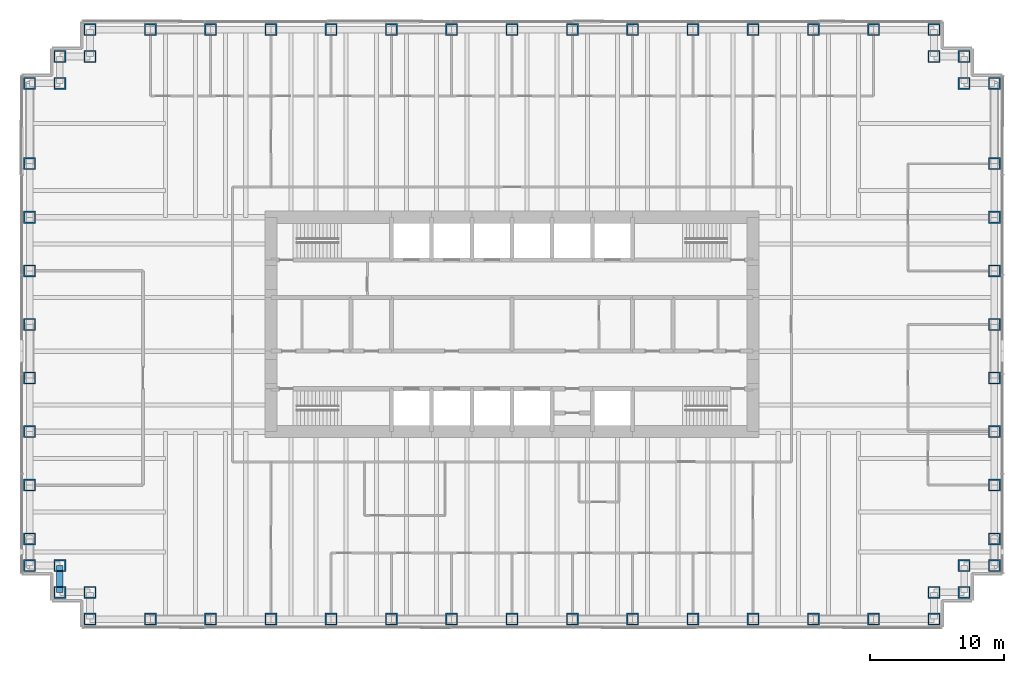
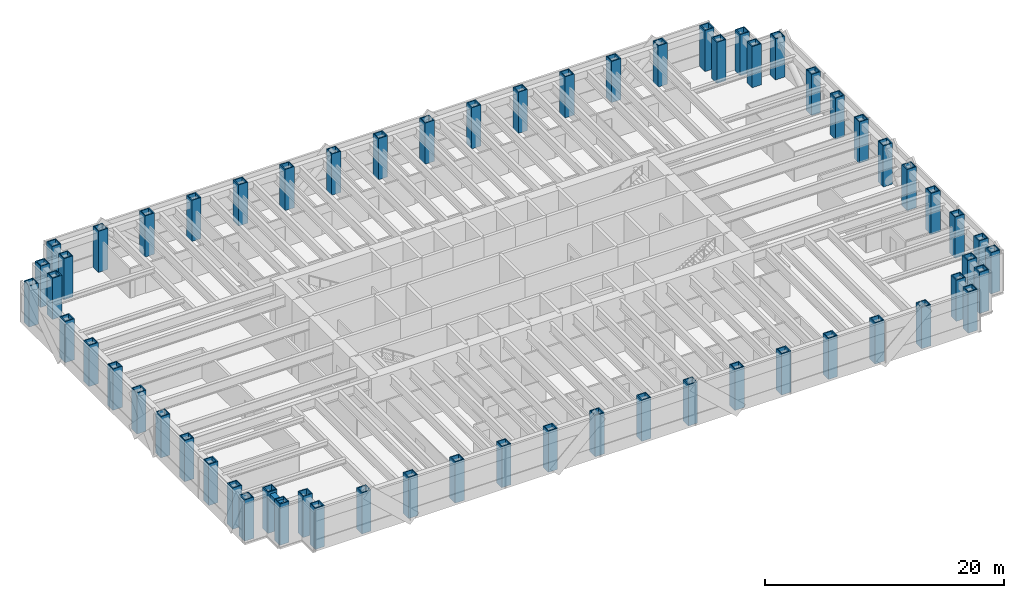
# One storey, part 1 of 16: 62 columns, 1 beam.
"""IFC4 building model written with IfcOpenShell, lengths in metres."""

import ifcopenshell
import ifcopenshell.guid

model = None  # the IFC model being written
_history = None  # IfcOwnerHistory: only IFC2X3 demands one
_inside = {}  # id of a spatial element -> (the spatial element, [elements in it])
_under = {}  # id of a project, library or spatial element -> (it, [spatial elements below it])
_declared = {}  # id of a project -> (the project, [libraries it declares])
_typed = {}  # id of a type object -> (the type object, [elements of that type])
_made_of = {}  # id of a material, layer set ... -> (it, [elements and type objects made of it])


def new_model(schema):
    """Start an empty IFC model of exactly this schema.

    Asked for "IFC4X3", IfcOpenShell would pick the latest addendum, in which some entities
    have other attributes; the version numbers below select the first issue.
    IFC2X3 requires an IfcOwnerHistory on every rooted entity: one is made here for all.
    """
    global model, _history
    if schema == "IFC4X3":
        model = ifcopenshell.file(schema_version=(4, 3, 0, 0))
    else:
        model = ifcopenshell.file(schema=schema)
    _inside.clear()
    _under.clear()
    _declared.clear()
    _typed.clear()
    _made_of.clear()
    _history = None
    if model.schema == "IFC2X3":
        org = make("IfcOrganization", Name="unknown")
        user = make(
            "IfcPersonAndOrganization",
            ThePerson=make("IfcPerson", FamilyName="unknown"),
            TheOrganization=org,
        )
        app = make(
            "IfcApplication",
            ApplicationDeveloper=org,
            Version="unknown",
            ApplicationFullName="unknown",
            ApplicationIdentifier="unknown",
        )
        _history = make(
            "IfcOwnerHistory",
            OwningUser=user,
            OwningApplication=app,
            ChangeAction="ADDED",
            CreationDate=0,
        )
    return model


def make(cls, **values):
    """One entity of the class cls with the attributes given. An attribute that is None is left unset."""
    return model.create_entity(
        cls, **{name: value for name, value in values.items() if value is not None}
    )


def rooted(cls, **values):
    """An entity with a GlobalId (a new one), such as an element, a storey or a relation."""
    return make(cls, GlobalId=ifcopenshell.guid.new(), OwnerHistory=_history, **values)


def si_unit(unit_type, name, prefix=None):
    """IfcSIUnit, for example si_unit("LENGTHUNIT", "METRE", prefix="MILLI")."""
    return make("IfcSIUnit", UnitType=unit_type, Prefix=prefix, Name=name)


def assignment(units):
    """IfcUnitAssignment: the units of a project."""
    return None if units is None else make("IfcUnitAssignment", Units=units)


def point(xyz):
    """IfcCartesianPoint."""
    return None if xyz is None else make("IfcCartesianPoint", Coordinates=xyz)


def direction(xyz):
    """IfcDirection."""
    return None if xyz is None else make("IfcDirection", DirectionRatios=xyz)


def frame(location, z_axis=None, x_axis=None):
    """IfcAxis2Placement3D, a coordinate frame: its origin and axes. An axis left out is left unset."""
    return make(
        "IfcAxis2Placement3D",
        Location=point(location),
        Axis=direction(z_axis),
        RefDirection=direction(x_axis),
    )


def frame_2d(location, x_axis=None):
    """IfcAxis2Placement2D, a coordinate frame in the plane: its origin and x axis."""
    return make(
        "IfcAxis2Placement2D", Location=point(location), RefDirection=direction(x_axis)
    )


def origin():
    """The frame at (0, 0, 0) with its axes left unset."""
    return frame((0.0, 0.0, 0.0))


def origin_2d():
    """The frame at (0, 0) in the plane with its x axis left unset."""
    return frame_2d((0.0, 0.0))


def place(relative_to, where):
    """IfcLocalPlacement: puts the frame where relative to a parent placement (None: the world)."""
    return make(
        "IfcLocalPlacement", PlacementRelTo=relative_to, RelativePlacement=where
    )


def context(
    kind, dimensions, precision=None, world=None, true_north=None, identifier=None
):
    """IfcGeometricRepresentationContext, for example the 3D "Model" context."""
    return make(
        "IfcGeometricRepresentationContext",
        ContextIdentifier=identifier,
        ContextType=kind,
        CoordinateSpaceDimension=dimensions,
        Precision=precision,
        WorldCoordinateSystem=world,
        TrueNorth=true_north,
    )


def subcontext(parent, identifier, kind, view, scale=None):
    """IfcGeometricRepresentationSubContext, for example "Body" below "Model"."""
    return make(
        "IfcGeometricRepresentationSubContext",
        ContextIdentifier=identifier,
        ContextType=kind,
        ParentContext=parent,
        TargetScale=scale,
        TargetView=view,
    )


def project(units=None, contexts=None):
    """IfcProject with its units and contexts."""
    return rooted(
        "IfcProject",
        Name="project",
        RepresentationContexts=contexts,
        UnitsInContext=assignment(units),
    )


def spatial(cls, under=None, at=None, **own):
    """A site, building, storey or space (cls), placed at a placement, below another one or the project."""
    s = rooted(cls, ObjectPlacement=at, **own)
    if under is not None:
        _under.setdefault(under.id(), (under, []))[1].append(s)
    return s


def profile(cls, at=None, kind="AREA", **sizes):
    """A parametric profile (cls). Its sizes go by their IFC names, for example OverallWidth=200.0."""
    return make(cls, ProfileType=kind, Position=at, **sizes)


def hollow_rectangle(**sizes):
    """IfcRectangleHollowProfileDef."""
    return profile("IfcRectangleHollowProfileDef", **sizes)


def extrude(swept, where, along, depth):
    """IfcExtrudedAreaSolid: the profile swept, set in the frame where, extruded along a direction by depth."""
    return make(
        "IfcExtrudedAreaSolid",
        SweptArea=swept,
        Position=where,
        ExtrudedDirection=direction(along),
        Depth=depth,
    )


def shape(context_of_items, identifier, shape_type, items):
    """IfcShapeRepresentation: the items that make up one representation, for example the "Body"."""
    return make(
        "IfcShapeRepresentation",
        ContextOfItems=context_of_items,
        RepresentationIdentifier=identifier,
        RepresentationType=shape_type,
        Items=items,
    )


def material(Name=None, Category=None):
    """IfcMaterial."""
    return make("IfcMaterial", Name=Name, Category=Category)


def material_profile(
    of_material, cross_section, Name=None, Category=None, Priority=None
):
    """IfcMaterialProfile: a cross section and its material."""
    return make(
        "IfcMaterialProfile",
        Name=Name,
        Material=of_material,
        Profile=cross_section,
        Priority=Priority,
        Category=Category,
    )


def profile_set(profiles, Name=None, composite=None):
    """IfcMaterialProfileSet."""
    return make(
        "IfcMaterialProfileSet",
        Name=Name,
        MaterialProfiles=profiles,
        CompositeProfile=composite,
    )


def made_of(thing, what):
    """Note that an element or type object is made of a material, layer set ...; save() writes the relation."""
    if what is not None:
        _made_of.setdefault(what.id(), (what, []))[1].append(thing)
    return thing


def type_object(cls, material=None, **own):
    """A type object (cls), such as IfcWallType, which elements share."""
    return made_of(rooted(cls, **own), material)


def element(
    cls,
    number,
    at=None,
    inside=None,
    cuts=None,
    type_object=None,
    material=None,
    context=None,
    identifier="Body",
    shape_type=None,
    held_by="IfcProductDefinitionShape",
    body=None,
    shapes=None,
    **own,
):
    """One element of the class cls, such as IfcWall. Its Tag is "e" and its number.

    at: its placement. inside: the storey or other place that contains it. cuts: it is an
    opening in that element (IfcRelVoidsElement). A single representation is given by context,
    identifier, shape_type and body (its items); several are given by shapes. held_by: the class
    of the entity that holds the representations. save() writes the other relations.
    """
    e = rooted(cls, Tag="e%d" % number, ObjectPlacement=at, **own)
    if body is not None:
        shapes = [shape(context, identifier, shape_type, body)]
    if shapes is not None:
        e.Representation = make(held_by, Representations=shapes)
    if inside is not None:
        _inside.setdefault(inside.id(), (inside, []))[1].append(e)
    if cuts is not None:
        rooted(
            "IfcRelVoidsElement", RelatingBuildingElement=cuts, RelatedOpeningElement=e
        )
    if type_object is not None:
        _typed.setdefault(type_object.id(), (type_object, []))[1].append(e)
    return made_of(e, material)


def aggregate(whole, parts):
    """IfcRelAggregates: a whole, such as a stair, and the parts it consists of."""
    return rooted("IfcRelAggregates", RelatingObject=whole, RelatedObjects=parts)


def save(model, path):
    """Write the relations noted so far, then the file.

    IfcRelAggregates (storeys below a building ...), IfcRelContainedInSpatialStructure (elements
    in a storey), IfcRelDefinesByType, IfcRelAssociatesMaterial and IfcRelDeclares: one each for
    every whole, place, type object, material and project.
    """
    for whole, parts in _under.values():
        aggregate(whole, parts)
    for where, things in _inside.values():
        rooted(
            "IfcRelContainedInSpatialStructure",
            RelatedElements=things,
            RelatingStructure=where,
        )
    for kind, things in _typed.values():
        rooted("IfcRelDefinesByType", RelatedObjects=things, RelatingType=kind)
    for what, things in _made_of.values():
        rooted("IfcRelAssociatesMaterial", RelatedObjects=things, RelatingMaterial=what)
    for by, libraries in _declared.values():
        rooted("IfcRelDeclares", RelatingContext=by, RelatedDefinitions=libraries)
    model.write(path)


model = new_model("IFC4")

# Units and contexts
model_context = context("Model", 3, precision=1e-05, world=origin(), true_north=direction((0.0, 1.0)))
body_context = subcontext(model_context, "Body", "Model", "MODEL_VIEW")
ifc_project = project(units=[si_unit("LENGTHUNIT", "METRE"), si_unit("AREAUNIT", "SQUARE_METRE"), si_unit("VOLUMEUNIT", "CUBIC_METRE"), si_unit("PLANEANGLEUNIT", "RADIAN"), si_unit("MASSUNIT", "GRAM", prefix="KILO")], contexts=[model_context])

# Site, building, storey
site_placement = place(None, origin())
site = spatial("IfcSite", under=ifc_project, at=site_placement, CompositionType="ELEMENT")
building_placement = place(site_placement, origin())
building = spatial("IfcBuilding", under=site, at=building_placement, Name="Rheinbord Bourse Tower", CompositionType="ELEMENT")
storey_placement = place(building_placement, frame((0.0, 0.0, 176.10009765625)))
storey = spatial("IfcBuildingStorey", under=building, at=storey_placement, Name="L39", CompositionType="ELEMENT", Elevation=176.10009765625)

# Columns
ifc_material_1 = material(Name="Steel S460M", Category="steel")
ifc_material_profile_1 = material_profile(ifc_material_1, hollow_rectangle(XDim=0.89990234375, YDim=0.89990234375, WallThickness=0.090087890625, at=origin_2d()), Name="BOX 900x900x90")
ifc_profile_set_1 = profile_set([ifc_material_profile_1], Name="Steel S460M")
column_type = type_object("IfcColumnType", Name="TUBE COLUMN BOX 900x900x90", PredefinedType="COLUMN", material=ifc_profile_set_1)
for number, where, z_axis, x_axis, name in (
    (1, (4.5, 2.0, 0.0), (0.0, 0.0, 1.0), (0.0, 1.0, 0.0), "Column SW-E L39"),
    (2, (9.0, 2.0, 0.0), (0.0, 0.0, 1.0), (0.0, 1.0, 0.0), "Column S-9 L39"),
    (3, (13.5, 2.0, 0.0), (0.0, 0.0, 1.0), (0.0, 1.0, 0.0), "Column S-13.5 L39"),
    (4, (18.0, 2.0, 0.0), (0.0, 0.0, 1.0), (0.0, 1.0, 0.0), "Column S-18 L39"),
    (5, (22.5, 2.0, 0.0), (0.0, 0.0, 1.0), (0.0, 1.0, 0.0), "Column S-22.5 L39"),
    (6, (27.0, 2.0, 0.0), (0.0, 0.0, 1.0), (0.0, 1.0, 0.0), "Column S-27 L39"),
    (7, (31.5, 2.0, 0.0), (0.0, 0.0, 1.0), (0.0, 1.0, 0.0), "Column S-31.5 L39"),
    (8, (36.0, 2.0, 0.0), (0.0, 0.0, 1.0), (0.0, 1.0, 0.0), "Column S-36 L39"),
    (9, (40.5, 2.0, 0.0), (0.0, 0.0, 1.0), (0.0, 1.0, 0.0), "Column S-40.5 L39"),
    (10, (45.0, 2.0, 0.0), (0.0, 0.0, 1.0), (0.0, 1.0, 0.0), "Column S-45 L39"),
    (11, (49.5, 2.0, 0.0), (0.0, 0.0, 1.0), (0.0, 1.0, 0.0), "Column S-49.5 L39"),
    (12, (54.0, 2.0, 0.0), (0.0, 0.0, 1.0), (0.0, 1.0, 0.0), "Column S-54 L39"),
    (13, (58.5, 2.0, 0.0), (0.0, 0.0, 1.0), (0.0, 1.0, 0.0), "Column S-58.5 L39"),
    (14, (63.0, 2.0, 0.0), (0.0, 0.0, 1.0), (0.0, 1.0, 0.0), "Column S-63 L39"),
    (15, (67.5, 2.0, 0.0), (0.0, 0.0, 1.0), (0.0, 1.0, 0.0), "Column SE-E L39"),
    (16, (67.5, 4.0, 0.0), (0.0, 0.0, 1.0), (0.0, 1.0, 0.0), "Column SE-D L39"),
    (17, (69.75, 4.0, 0.0), (0.0, 0.0, 1.0), (1.0, 0.0, 0.0), "Column SE-C L39"),
    (18, (69.75, 6.0, 0.0), (0.0, 0.0, 1.0), (1.0, 0.0, 0.0), "Column SE-B L39"),
    (19, (72.0, 6.0, 0.0), (0.0, 0.0, 1.0), (1.0, 0.0, 0.0), "Column SE-A L39"),
    (20, (72.0, 8.0, 0.0), (0.0, 0.0, 1.0), (1.0, 0.0, 0.0), "Column E-8 L39"),
    (21, (72.0, 12.0, 0.0), (0.0, 0.0, 1.0), (1.0, 0.0, 0.0), "Column E-12 L39"),
    (22, (72.0, 16.0, 0.0), (0.0, 0.0, 1.0), (1.0, 0.0, 0.0), "Column E-16 L39"),
    (23, (72.0, 20.0, 0.0), (0.0, 0.0, 1.0), (1.0, 0.0, 0.0), "Column E-20 L39"),
    (24, (72.0, 24.0, 0.0), (0.0, 0.0, 1.0), (1.0, 0.0, 0.0), "Column E-24 L39"),
    (25, (72.0, 28.0, 0.0), (0.0, 0.0, 1.0), (1.0, 0.0, 0.0), "Column E-28 L39"),
    (26, (72.0, 32.0, 0.0), (0.0, 0.0, 1.0), (1.0, 0.0, 0.0), "Column E-32 L39"),
    (27, (72.0, 36.0, 0.0), (0.0, 0.0, 1.0), (1.0, 0.0, 0.0), "Column E-36 L39"),
    (28, (72.0, 42.0, 0.0), (0.0, 0.0, 1.0), (1.0, 0.0, 0.0), "Column NE-A L39"),
    (29, (69.75, 42.0, 0.0), (0.0, 0.0, 1.0), (1.0, 0.0, 0.0), "Column NE-B L39"),
    (30, (69.75, 44.0, 0.0), (0.0, 0.0, 1.0), (1.0, 0.0, 0.0), "Column NE-C L39"),
    (31, (67.5, 44.0, 0.0), (0.0, 0.0, 1.0), (0.0, 1.0, 0.0), "Column NE-D L39"),
    (32, (67.5, 46.0, 0.0), (0.0, 0.0, 1.0), (0.0, 1.0, 0.0), "Column NE-E L39"),
    (33, (63.0, 46.0, 0.0), (0.0, 0.0, 1.0), (0.0, 1.0, 0.0), "Column N-63 L39"),
    (34, (58.5, 46.0, 0.0), (0.0, 0.0, 1.0), (0.0, 1.0, 0.0), "Column N-58.5 L39"),
    (35, (54.0, 46.0, 0.0), (0.0, 0.0, 1.0), (0.0, 1.0, 0.0), "Column N-54 L39"),
    (36, (49.5, 46.0, 0.0), (0.0, 0.0, 1.0), (0.0, 1.0, 0.0), "Column N-49.5 L39"),
    (37, (45.0, 46.0, 0.0), (0.0, 0.0, 1.0), (0.0, 1.0, 0.0), "Column N-45 L39"),
    (38, (40.5, 46.0, 0.0), (0.0, 0.0, 1.0), (0.0, 1.0, 0.0), "Column N-40.5 L39"),
    (39, (36.0, 46.0, 0.0), (0.0, 0.0, 1.0), (0.0, 1.0, 0.0), "Column N-36 L39"),
    (40, (31.5, 46.0, 0.0), (0.0, 0.0, 1.0), (0.0, 1.0, 0.0), "Column N-31.5 L39"),
    (41, (27.0, 46.0, 0.0), (0.0, 0.0, 1.0), (0.0, 1.0, 0.0), "Column N-27 L39"),
    (42, (22.5, 46.0, 0.0), (0.0, 0.0, 1.0), (0.0, 1.0, 0.0), "Column N-22.5 L39"),
    (43, (18.0, 46.0, 0.0), (0.0, 0.0, 1.0), (0.0, 1.0, 0.0), "Column N-18 L39"),
    (44, (13.5, 46.0, 0.0), (0.0, 0.0, 1.0), (0.0, 1.0, 0.0), "Column N-13.5 L39"),
    (45, (9.0, 46.0, 0.0), (0.0, 0.0, 1.0), (0.0, 1.0, 0.0), "Column N-9 L39"),
    (46, (4.5, 46.0, 0.0), (0.0, 0.0, 1.0), (0.0, 1.0, 0.0), "Column NW-E L39"),
    (47, (4.5, 44.0, 0.0), (0.0, 0.0, 1.0), (0.0, 1.0, 0.0), "Column NW-D L39"),
    (48, (2.25, 44.0, 0.0), (0.0, 0.0, 1.0), (1.0, 0.0, 0.0), "Column NW-C L39"),
    (49, (2.25, 42.0, 0.0), (0.0, 0.0, 1.0), (1.0, 0.0, 0.0), "Column NW-B L39"),
    (50, (0.0, 42.0, 0.0), (0.0, 0.0, 1.0), (1.0, 0.0, 0.0), "Column NW-A L39"),
    (51, (0.0, 36.0, 0.0), (0.0, 0.0, 1.0), (1.0, 0.0, 0.0), "Column W-36 L39"),
    (52, (0.0, 32.0, 0.0), (0.0, 0.0, 1.0), (1.0, 0.0, 0.0), "Column W-32 L39"),
    (53, (0.0, 28.0, 0.0), (0.0, 0.0, 1.0), (1.0, 0.0, 0.0), "Column W-28 L39"),
    (54, (0.0, 24.0, 0.0), (0.0, 0.0, 1.0), (1.0, 0.0, 0.0), "Column W-24 L39"),
    (55, (0.0, 20.0, 0.0), (0.0, 0.0, 1.0), (1.0, 0.0, 0.0), "Column W-20 L39"),
    (56, (0.0, 16.0, 0.0), (0.0, 0.0, 1.0), (1.0, 0.0, 0.0), "Column W-16 L39"),
    (57, (0.0, 12.0, 0.0), (0.0, 0.0, 1.0), (1.0, 0.0, 0.0), "Column W-12 L39"),
    (58, (0.0, 8.0, 0.0), (0.0, 0.0, 1.0), (1.0, 0.0, 0.0), "Column W-8 L39"),
    (59, (0.0, 6.0, 0.0), (0.0, 0.0, 1.0), (1.0, 0.0, 0.0), "Column SW-A L39"),
    (60, (2.25, 6.0, 0.0), (0.0, 0.0, 1.0), (1.0, 0.0, 0.0), "Column SW-B L39"),
    (61, (2.25, 4.0, 0.0), (0.0, 0.0, 1.0), (1.0, 0.0, 0.0), "Column SW-C L39"),
    (62, (4.5, 4.0, 0.0), (0.0, 0.0, 1.0), (0.0, 1.0, 0.0), "Column SW-D L39"),
):
    element("IfcColumn", number, at=place(storey_placement, frame(where, z_axis=z_axis, x_axis=x_axis)), inside=storey, type_object=column_type, Name=name, PredefinedType="COLUMN", context=body_context, shape_type="SweptSolid", body=[
        extrude(hollow_rectangle(XDim=0.89990234375, YDim=0.89990234375, WallThickness=0.090087890625, at=origin_2d()), origin(), (0.0, 0.0, 1.0), 4.199951171875),
    ])

# Beam
ifc_material_2 = material(Name="Steel S460M", Category="steel")
ifc_material_profile_2 = material_profile(ifc_material_2, hollow_rectangle(XDim=0.5, YDim=0.699951171875, WallThickness=0.0400390625, at=origin_2d()), Name="BOX 700x500x40")
ifc_profile_set_2 = profile_set([ifc_material_profile_2], Name="Steel S460M")
beam_type = type_object("IfcBeamType", Name="BELT CHORD BOX 700x500x40", PredefinedType="SPANDREL", material=ifc_profile_set_2)
beam_placement = place(storey_placement, frame((2.25, 6.0, 3.599853515625), z_axis=(0.0, -1.0, 0.0), x_axis=(1.0, 0.0, 0.0)))
element("IfcBeam", 63, at=beam_placement, inside=storey, type_object=beam_type, Name="Spandrel SW-B-SW-C under L40", PredefinedType="SPANDREL", context=body_context, shape_type="SweptSolid", body=[
    extrude(hollow_rectangle(XDim=0.5, YDim=0.699951171875, WallThickness=0.0400390625, at=origin_2d()), origin(), (0.0, 0.0, 1.0), 2.0),
])

save(model, "model.ifc")
